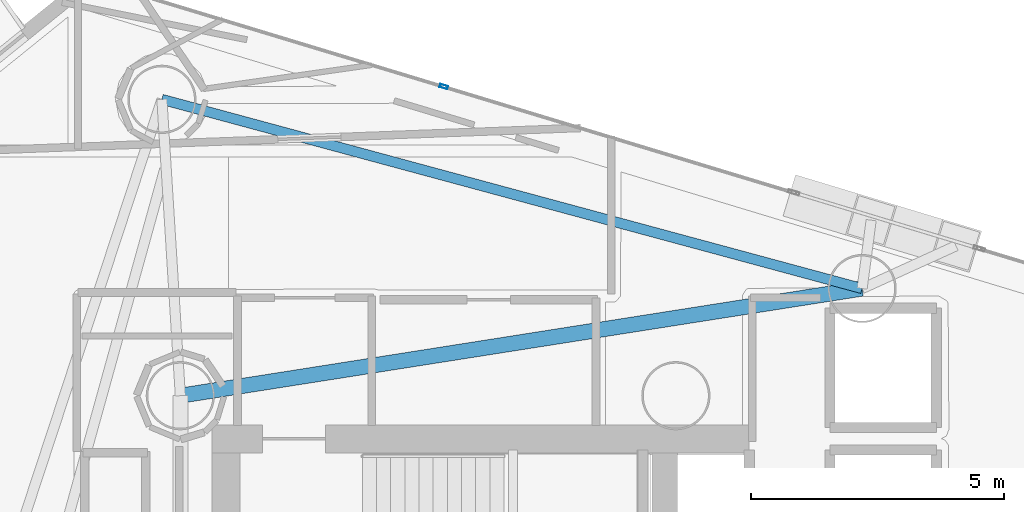
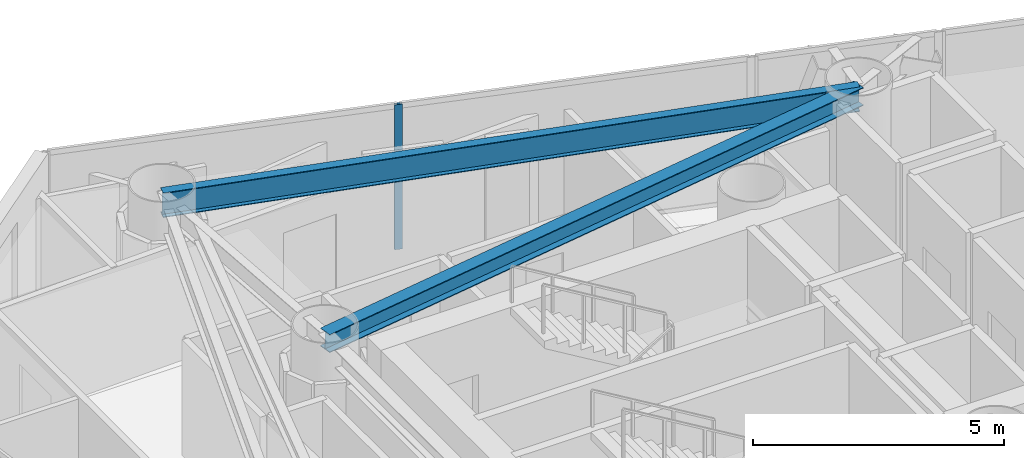
# One storey, part 12 of 22: 2 beams, 1 member, 1 element without a shape of its own.
"""IFC4 building model written with IfcOpenShell, lengths in metres."""

import ifcopenshell
import ifcopenshell.guid

model = None  # the IFC model being written
_history = None  # IfcOwnerHistory: only IFC2X3 demands one
_inside = {}  # id of a spatial element -> (the spatial element, [elements in it])
_under = {}  # id of a project, library or spatial element -> (it, [spatial elements below it])
_declared = {}  # id of a project -> (the project, [libraries it declares])
_typed = {}  # id of a type object -> (the type object, [elements of that type])
_made_of = {}  # id of a material, layer set ... -> (it, [elements and type objects made of it])


def new_model(schema):
    """Start an empty IFC model of exactly this schema.

    Asked for "IFC4X3", IfcOpenShell would pick the latest addendum, in which some entities
    have other attributes; the version numbers below select the first issue.
    IFC2X3 requires an IfcOwnerHistory on every rooted entity: one is made here for all.
    """
    global model, _history
    if schema == "IFC4X3":
        model = ifcopenshell.file(schema_version=(4, 3, 0, 0))
    else:
        model = ifcopenshell.file(schema=schema)
    _inside.clear()
    _under.clear()
    _declared.clear()
    _typed.clear()
    _made_of.clear()
    _history = None
    if model.schema == "IFC2X3":
        org = make("IfcOrganization", Name="unknown")
        user = make(
            "IfcPersonAndOrganization",
            ThePerson=make("IfcPerson", FamilyName="unknown"),
            TheOrganization=org,
        )
        app = make(
            "IfcApplication",
            ApplicationDeveloper=org,
            Version="unknown",
            ApplicationFullName="unknown",
            ApplicationIdentifier="unknown",
        )
        _history = make(
            "IfcOwnerHistory",
            OwningUser=user,
            OwningApplication=app,
            ChangeAction="ADDED",
            CreationDate=0,
        )
    return model


def make(cls, **values):
    """One entity of the class cls with the attributes given. An attribute that is None is left unset."""
    return model.create_entity(
        cls, **{name: value for name, value in values.items() if value is not None}
    )


def rooted(cls, **values):
    """An entity with a GlobalId (a new one), such as an element, a storey or a relation."""
    return make(cls, GlobalId=ifcopenshell.guid.new(), OwnerHistory=_history, **values)


def si_unit(unit_type, name, prefix=None):
    """IfcSIUnit, for example si_unit("LENGTHUNIT", "METRE", prefix="MILLI")."""
    return make("IfcSIUnit", UnitType=unit_type, Prefix=prefix, Name=name)


def assignment(units):
    """IfcUnitAssignment: the units of a project."""
    return None if units is None else make("IfcUnitAssignment", Units=units)


def point(xyz):
    """IfcCartesianPoint."""
    return None if xyz is None else make("IfcCartesianPoint", Coordinates=xyz)


def direction(xyz):
    """IfcDirection."""
    return None if xyz is None else make("IfcDirection", DirectionRatios=xyz)


def frame(location, z_axis=None, x_axis=None):
    """IfcAxis2Placement3D, a coordinate frame: its origin and axes. An axis left out is left unset."""
    return make(
        "IfcAxis2Placement3D",
        Location=point(location),
        Axis=direction(z_axis),
        RefDirection=direction(x_axis),
    )


def frame_2d(location, x_axis=None):
    """IfcAxis2Placement2D, a coordinate frame in the plane: its origin and x axis."""
    return make(
        "IfcAxis2Placement2D", Location=point(location), RefDirection=direction(x_axis)
    )


def origin():
    """The frame at (0, 0, 0) with its axes left unset."""
    return frame((0.0, 0.0, 0.0))


def origin_2d():
    """The frame at (0, 0) in the plane with its x axis left unset."""
    return frame_2d((0.0, 0.0))


def place(relative_to, where):
    """IfcLocalPlacement: puts the frame where relative to a parent placement (None: the world)."""
    return make(
        "IfcLocalPlacement", PlacementRelTo=relative_to, RelativePlacement=where
    )


def context(
    kind, dimensions, precision=None, world=None, true_north=None, identifier=None
):
    """IfcGeometricRepresentationContext, for example the 3D "Model" context."""
    return make(
        "IfcGeometricRepresentationContext",
        ContextIdentifier=identifier,
        ContextType=kind,
        CoordinateSpaceDimension=dimensions,
        Precision=precision,
        WorldCoordinateSystem=world,
        TrueNorth=true_north,
    )


def subcontext(parent, identifier, kind, view, scale=None):
    """IfcGeometricRepresentationSubContext, for example "Body" below "Model"."""
    return make(
        "IfcGeometricRepresentationSubContext",
        ContextIdentifier=identifier,
        ContextType=kind,
        ParentContext=parent,
        TargetScale=scale,
        TargetView=view,
    )


def project(units=None, contexts=None):
    """IfcProject with its units and contexts."""
    return rooted(
        "IfcProject",
        Name="project",
        RepresentationContexts=contexts,
        UnitsInContext=assignment(units),
    )


def spatial(cls, under=None, at=None, **own):
    """A site, building, storey or space (cls), placed at a placement, below another one or the project."""
    s = rooted(cls, ObjectPlacement=at, **own)
    if under is not None:
        _under.setdefault(under.id(), (under, []))[1].append(s)
    return s


def profile(cls, at=None, kind="AREA", **sizes):
    """A parametric profile (cls). Its sizes go by their IFC names, for example OverallWidth=200.0."""
    return make(cls, ProfileType=kind, Position=at, **sizes)


def hollow_rectangle(**sizes):
    """IfcRectangleHollowProfileDef."""
    return profile("IfcRectangleHollowProfileDef", **sizes)


def i_section(**sizes):
    """IfcIShapeProfileDef."""
    return profile("IfcIShapeProfileDef", **sizes)


def extrude(swept, where, along, depth):
    """IfcExtrudedAreaSolid: the profile swept, set in the frame where, extruded along a direction by depth."""
    return make(
        "IfcExtrudedAreaSolid",
        SweptArea=swept,
        Position=where,
        ExtrudedDirection=direction(along),
        Depth=depth,
    )


def shape(context_of_items, identifier, shape_type, items):
    """IfcShapeRepresentation: the items that make up one representation, for example the "Body"."""
    return make(
        "IfcShapeRepresentation",
        ContextOfItems=context_of_items,
        RepresentationIdentifier=identifier,
        RepresentationType=shape_type,
        Items=items,
    )


def material(Name=None, Category=None):
    """IfcMaterial."""
    return make("IfcMaterial", Name=Name, Category=Category)


def layer(
    of_material, thickness, ventilated=None, Name=None, Category=None, Priority=None
):
    """IfcMaterialLayer: one layer of a wall or slab, of a material (None: an air gap)."""
    return make(
        "IfcMaterialLayer",
        Material=of_material,
        LayerThickness=thickness,
        IsVentilated=ventilated,
        Name=Name,
        Category=Category,
        Priority=Priority,
    )


def layer_set(layers, Name=None):
    """IfcMaterialLayerSet."""
    return make("IfcMaterialLayerSet", MaterialLayers=layers, LayerSetName=Name)


def material_profile(
    of_material, cross_section, Name=None, Category=None, Priority=None
):
    """IfcMaterialProfile: a cross section and its material."""
    return make(
        "IfcMaterialProfile",
        Name=Name,
        Material=of_material,
        Profile=cross_section,
        Priority=Priority,
        Category=Category,
    )


def profile_set(profiles, Name=None, composite=None):
    """IfcMaterialProfileSet."""
    return make(
        "IfcMaterialProfileSet",
        Name=Name,
        MaterialProfiles=profiles,
        CompositeProfile=composite,
    )


def made_of(thing, what):
    """Note that an element or type object is made of a material, layer set ...; save() writes the relation."""
    if what is not None:
        _made_of.setdefault(what.id(), (what, []))[1].append(thing)
    return thing


def type_object(cls, material=None, **own):
    """A type object (cls), such as IfcWallType, which elements share."""
    return made_of(rooted(cls, **own), material)


def element(
    cls,
    number,
    at=None,
    inside=None,
    cuts=None,
    type_object=None,
    material=None,
    context=None,
    identifier="Body",
    shape_type=None,
    held_by="IfcProductDefinitionShape",
    body=None,
    shapes=None,
    **own,
):
    """One element of the class cls, such as IfcWall. Its Tag is "e" and its number.

    at: its placement. inside: the storey or other place that contains it. cuts: it is an
    opening in that element (IfcRelVoidsElement). A single representation is given by context,
    identifier, shape_type and body (its items); several are given by shapes. held_by: the class
    of the entity that holds the representations. save() writes the other relations.
    """
    e = rooted(cls, Tag="e%d" % number, ObjectPlacement=at, **own)
    if body is not None:
        shapes = [shape(context, identifier, shape_type, body)]
    if shapes is not None:
        e.Representation = make(held_by, Representations=shapes)
    if inside is not None:
        _inside.setdefault(inside.id(), (inside, []))[1].append(e)
    if cuts is not None:
        rooted(
            "IfcRelVoidsElement", RelatingBuildingElement=cuts, RelatedOpeningElement=e
        )
    if type_object is not None:
        _typed.setdefault(type_object.id(), (type_object, []))[1].append(e)
    return made_of(e, material)


def aggregate(whole, parts):
    """IfcRelAggregates: a whole, such as a stair, and the parts it consists of."""
    return rooted("IfcRelAggregates", RelatingObject=whole, RelatedObjects=parts)


def save(model, path):
    """Write the relations noted so far, then the file.

    IfcRelAggregates (storeys below a building ...), IfcRelContainedInSpatialStructure (elements
    in a storey), IfcRelDefinesByType, IfcRelAssociatesMaterial and IfcRelDeclares: one each for
    every whole, place, type object, material and project.
    """
    for whole, parts in _under.values():
        aggregate(whole, parts)
    for where, things in _inside.values():
        rooted(
            "IfcRelContainedInSpatialStructure",
            RelatedElements=things,
            RelatingStructure=where,
        )
    for kind, things in _typed.values():
        rooted("IfcRelDefinesByType", RelatedObjects=things, RelatingType=kind)
    for what, things in _made_of.values():
        rooted("IfcRelAssociatesMaterial", RelatedObjects=things, RelatingMaterial=what)
    for by, libraries in _declared.values():
        rooted("IfcRelDeclares", RelatingContext=by, RelatedDefinitions=libraries)
    model.write(path)


model = new_model("IFC4")

# Units and contexts
model_context = context("Model", 3, precision=1e-05, world=origin(), true_north=direction((0.0, 1.0)))
body_context = subcontext(model_context, "Body", "Model", "MODEL_VIEW")
ifc_project = project(units=[si_unit("LENGTHUNIT", "METRE"), si_unit("AREAUNIT", "SQUARE_METRE"), si_unit("VOLUMEUNIT", "CUBIC_METRE"), si_unit("PLANEANGLEUNIT", "RADIAN"), si_unit("MASSUNIT", "GRAM", prefix="KILO")], contexts=[model_context])

# Site, building, storey
site_placement = place(None, origin())
site = spatial("IfcSite", under=ifc_project, at=site_placement, CompositionType="ELEMENT")
building_placement = place(site_placement, origin())
building = spatial("IfcBuilding", under=site, at=building_placement, Name="Qianvela Tower", CompositionType="ELEMENT")
storey_placement = place(building_placement, frame((0.0, 0.0, 177.199951171875)))
storey = spatial("IfcBuildingStorey", under=building, at=storey_placement, Name="L45", CompositionType="ELEMENT", Elevation=177.199951171875)

# Beams
ifc_material_1 = material(Name="Steel Q355B", Category="steel")
ifc_material_profile_1 = material_profile(ifc_material_1, i_section(OverallWidth=0.300048828125, OverallDepth=0.43994140625, WebThickness=0.010986328125, FlangeThickness=0.01806640625, at=origin_2d()), Name="HM440x300x11x18")
ifc_profile_set_1 = profile_set([ifc_material_profile_1], Name="Steel Q355B")
beam_type_1 = type_object("IfcBeamType", Name="BM-HM440-COLL", PredefinedType="BEAM", material=ifc_profile_set_1)
beam_1_placement = place(storey_placement, frame((28.60009765625, 33.550048828125, 3.298095703125), z_axis=(0.98787540104, 0.155248806823, 0.0), x_axis=(-0.155248806823, 0.98787540104, 0.0)))
element("IfcBeam", 1, at=beam_1_placement, inside=storey, type_object=beam_type_1, Name="L45 Perimeter Ring Tie Girder 1B", PredefinedType="BEAM", context=body_context, shape_type="SweptSolid", body=[
    extrude(i_section(OverallWidth=0.300048828125, OverallDepth=0.43994140625, WebThickness=0.010986328125, FlangeThickness=0.01806640625, at=origin_2d()), origin(), (0.0, 0.0, 1.0), 13.6484375),
])
ifc_material_2 = material(Name="Steel Q355B", Category="steel")
ifc_material_profile_2 = material_profile(ifc_material_2, i_section(OverallWidth=0.199951171875, OverallDepth=0.60009765625, WebThickness=0.010986328125, FlangeThickness=0.01708984375, at=origin_2d()), Name="HN600x200x11x17")
ifc_profile_set_2 = profile_set([ifc_material_profile_2], Name="Steel Q355B")
beam_type_2 = type_object("IfcBeamType", Name="BM-HN600-GIRD", PredefinedType="BEAM", material=ifc_profile_set_2)
beam_2_placement = place(storey_placement, frame((42.0830078125, 35.6689453125, 3.218017578125), z_axis=(-0.965376252239, 0.260861441407, 0.0), x_axis=(-0.260861441407, -0.965376252239, 0.0)))
element("IfcBeam", 2, at=beam_2_placement, inside=storey, type_object=beam_type_2, Name="L45 Perimeter Ring Spandrel Girder 2", PredefinedType="BEAM", context=body_context, shape_type="SweptSolid", body=[
    extrude(i_section(OverallWidth=0.199951171875, OverallDepth=0.60009765625, WebThickness=0.010986328125, FlangeThickness=0.01708984375, at=origin_2d()), origin(), (0.0, 0.0, 1.0), 14.344482421875),
])

# Curtain wall, member
ifc_material_3 = material(Name="Anodised Architectural Aluminium and Low-E Glass", Category="aluminium")
ifc_layer = layer(ifc_material_3, 0.169921875)
ifc_layer_set = layer_set([ifc_layer], Name="Anodised Architectural Aluminium and Low-E Glass")
curtain_wall_type = type_object("IfcCurtainWallType", Name="CW-COLIV-Z34", PredefinedType="USERDEFINED", material=ifc_layer_set)
curtain_wall_placement = place(storey_placement, origin())
curtain_wall = element("IfcCurtainWall", 3, at=curtain_wall_placement, inside=storey, type_object=curtain_wall_type, Name="L45 CW-COLIV-Z34 Curtain Wall 02C", ObjectType="CURTAIN_WALL_SYSTEM", PredefinedType="USERDEFINED")
ifc_material_4 = material(Name="Anodised Architectural Aluminium 6063-T6", Category="aluminium")
ifc_material_profile_3 = material_profile(ifc_material_4, hollow_rectangle(XDim=0.06494140625, YDim=0.159912109375, WallThickness=0.0048828125, at=origin_2d()), Name="ALU-MULL-65x160")
ifc_profile_set_3 = profile_set([ifc_material_profile_3], Name="Anodised Architectural Aluminium 6063-T6")
member_type = type_object("IfcMemberType", Name="CW-COLIV-Z34-MULL", PredefinedType="MULLION", material=ifc_profile_set_3)
member_placement = place(storey_placement, frame((33.808837890625, 39.662841796875, 0.0), z_axis=(0.0, 0.0, 1.0), x_axis=(-0.289584676809, -0.957152399024, 0.0)))
member = element("IfcMember", 4, at=member_placement, type_object=member_type, Name="CW-4 mullion 2", PredefinedType="MULLION", context=body_context, shape_type="SweptSolid", body=[
    extrude(hollow_rectangle(XDim=0.06494140625, YDim=0.159912109375, WallThickness=0.0048828125, at=origin_2d()), origin(), (0.0, 0.0, 1.0), 3.52001953125),
])
aggregate(curtain_wall, [member])

save(model, "model.ifc")
